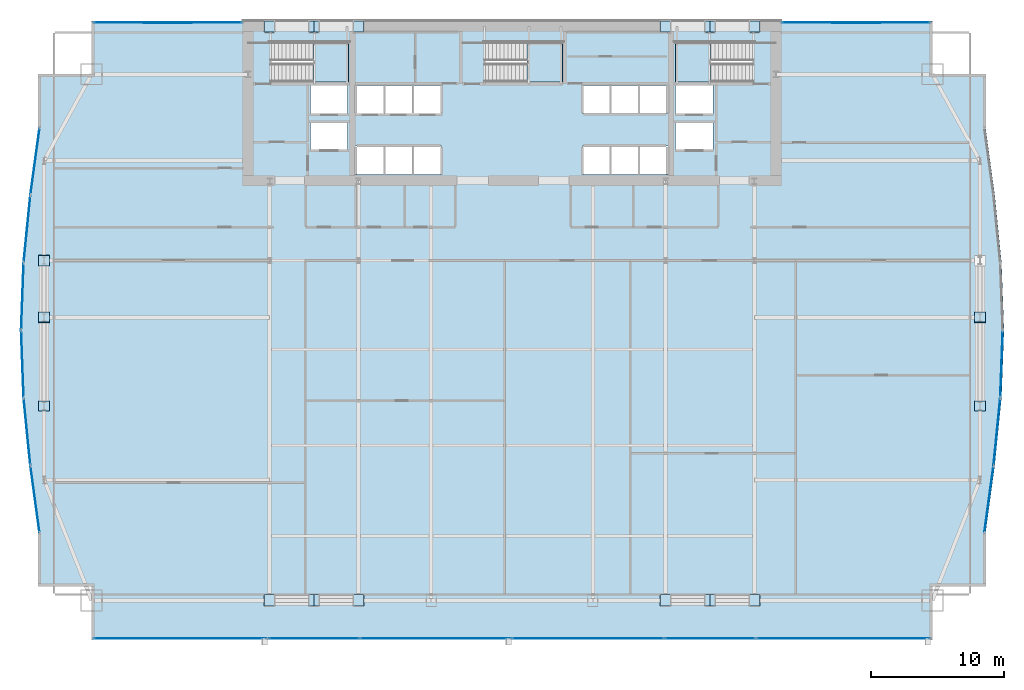
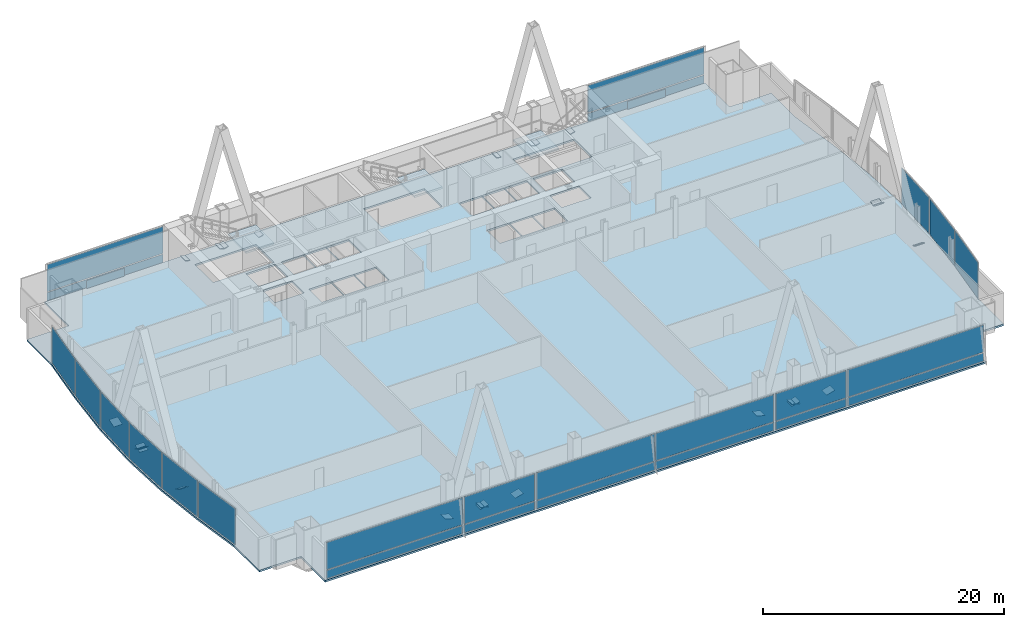
# One storey, part 26 of 35: 50 plates, 4 slabs, 19 elements without a shape of their own.
"""IFC4 building model written with IfcOpenShell, lengths in metres."""

from ifc_helpers import new_model, si_unit, direction, frame, origin, origin_2d, place, context, subcontext, project, spatial, polyline, rectangle, outline, extrude, material, layer, layer_set, type_object, element, aggregate, save


model = new_model("IFC4")

# Units and contexts
model_context = context("Model", 3, precision=1e-05, world=origin(), true_north=direction((0.0, 1.0)))
body_context = subcontext(model_context, "Body", "Model", "MODEL_VIEW")
ifc_project = project(units=[si_unit("LENGTHUNIT", "METRE"), si_unit("AREAUNIT", "SQUARE_METRE"), si_unit("VOLUMEUNIT", "CUBIC_METRE"), si_unit("PLANEANGLEUNIT", "RADIAN"), si_unit("MASSUNIT", "GRAM", prefix="KILO")], contexts=[model_context])

# Site, building, storey
site_placement = place(None, origin())
site = spatial("IfcSite", under=ifc_project, at=site_placement, CompositionType="ELEMENT")
building_placement = place(site_placement, origin())
building = spatial("IfcBuilding", under=site, at=building_placement, Name="Khoronbel Lancet Exchange", CompositionType="ELEMENT")
storey_placement = place(building_placement, frame((0.0, 0.0, 37.800048828125)))
storey = spatial("IfcBuildingStorey", under=building, at=storey_placement, Name="L08", CompositionType="ELEMENT", Elevation=37.800048828125)

# Curtain wall, plate
ifc_material_1 = material(Name="Low-E Solar Control Insulating Glass", Category="glass")
curtain_wall_type_1 = type_object("IfcCurtainWallType", Name="CW-4", PredefinedType="NOTDEFINED", material=ifc_material_1)
curtain_wall_1_placement = place(storey_placement, origin())
curtain_wall_1 = element("IfcCurtainWall", 1, at=curtain_wall_1_placement, inside=storey, type_object=curtain_wall_type_1, Name="Unitised curtain wall CW-L08-E05", PredefinedType="NOTDEFINED")
ifc_material_2 = material(Name="Bronze-Anodised Aluminium 6063-T6", Category="aluminium")
ifc_layer_1 = layer(ifc_material_2, 0.050048828125, Name="Bronze-Anodised Aluminium 6063-T6")
ifc_layer_set_1 = layer_set([ifc_layer_1], Name="Bronze-Anodised Aluminium 6063-T6")
plate_type_1 = type_object("IfcPlateType", Name="PLT-CSP1", PredefinedType="SHEET", material=ifc_layer_set_1)
plate_1_placement = place(storey_placement, frame((-0.009765625, 22.833251953125, 0.0849609375), z_axis=(0.0, 0.0, 1.0), x_axis=(-0.099602645371, 0.995027292608, 0.0)))
plate_1 = element("IfcPlate", 2, at=plate_1_placement, type_object=plate_type_1, Name="CW4 panel 1.1", PredefinedType="CURTAIN_PANEL", context=body_context, shape_type="SweptSolid", body=[
    extrude(rectangle(XDim=4.954345703125, YDim=0.0380859375, at=origin_2d()), origin(), (0.0, 0.0, 1.0), 3.64990234375),
])
aggregate(curtain_wall_1, [plate_1])

curtain_wall_2_placement = place(storey_placement, origin())
curtain_wall_2 = element("IfcCurtainWall", 3, at=curtain_wall_2_placement, inside=storey, type_object=curtain_wall_type_1, Name="Unitised curtain wall CW-L08-E06", PredefinedType="NOTDEFINED")
plate_2_placement = place(storey_placement, frame((-0.35693359375, 27.911376953125, 0.0849609375), z_axis=(0.0, 0.0, 1.0), x_axis=(-0.036590150718, 0.999330356224, 0.0)))
plate_2 = element("IfcPlate", 4, at=plate_2_placement, type_object=plate_type_1, Name="CW4 panel 1.1", PredefinedType="CURTAIN_PANEL", context=body_context, shape_type="SweptSolid", body=[
    extrude(rectangle(XDim=4.9306640625, YDim=0.0380859375, at=origin_2d()), origin(), (0.0, 0.0, 1.0), 3.64990234375),
])
aggregate(curtain_wall_2, [plate_2])

curtain_wall_3_placement = place(storey_placement, origin())
curtain_wall_3 = element("IfcCurtainWall", 5, at=curtain_wall_3_placement, inside=storey, type_object=curtain_wall_type_1, Name="Unitised curtain wall CW-L08-E07", PredefinedType="NOTDEFINED")
plate_3_placement = place(storey_placement, frame((-0.35693359375, 32.988525390625, 0.0849609375), z_axis=(0.0, 0.0, 1.0), x_axis=(0.036590150718, 0.999330356224, 0.0)))
plate_3 = element("IfcPlate", 6, at=plate_3_placement, type_object=plate_type_1, Name="CW4 panel 1.1", PredefinedType="CURTAIN_PANEL", context=body_context, shape_type="SweptSolid", body=[
    extrude(rectangle(XDim=4.9306640625, YDim=0.0380859375, at=origin_2d()), origin(), (0.0, 0.0, 1.0), 3.64990234375),
])
aggregate(curtain_wall_3, [plate_3])

curtain_wall_4_placement = place(storey_placement, origin())
curtain_wall_4 = element("IfcCurtainWall", 7, at=curtain_wall_4_placement, inside=storey, type_object=curtain_wall_type_1, Name="Unitised curtain wall CW-L08-E08", PredefinedType="NOTDEFINED")
plate_4_placement = place(storey_placement, frame((-0.009765625, 38.066650390625, 0.0849609375), z_axis=(0.0, 0.0, 1.0), x_axis=(0.099602645371, 0.995027292608, 0.0)))
plate_4 = element("IfcPlate", 8, at=plate_4_placement, type_object=plate_type_1, Name="CW4 panel 1.1", PredefinedType="CURTAIN_PANEL", context=body_context, shape_type="SweptSolid", body=[
    extrude(rectangle(XDim=4.954345703125, YDim=0.0380859375, at=origin_2d()), origin(), (0.0, 0.0, 1.0), 3.64990234375),
])
aggregate(curtain_wall_4, [plate_4])

curtain_wall_type_2 = type_object("IfcCurtainWallType", Name="CW-1", PredefinedType="NOTDEFINED", material=ifc_material_1)
curtain_wall_5_placement = place(storey_placement, origin())
curtain_wall_5 = element("IfcCurtainWall", 9, at=curtain_wall_5_placement, inside=storey, type_object=curtain_wall_type_2, Name="Unitised curtain wall CW-L08-NWFLK", PredefinedType="NOTDEFINED")
plate_5_placement = place(storey_placement, frame((10.580078125, 53.550048828125, 0.0498046875), z_axis=(0.0, 0.0, 1.0), x_axis=(-1.0, 0.0, 0.0)))
plate_5 = element("IfcPlate", 10, at=plate_5_placement, type_object=plate_type_1, Name="Insulated bronze spandrel cassette CW-L08-NWFLK", PredefinedType="SHEET", context=body_context, shape_type="SweptSolid", body=[
    extrude(rectangle(XDim=3.60009765625, YDim=0.050048828125, at=origin_2d()), origin(), (0.0, 0.0, 1.0), 0.800048828125),
])

curtain_wall_6_placement = place(storey_placement, origin())
curtain_wall_6 = element("IfcCurtainWall", 11, at=curtain_wall_6_placement, inside=storey, type_object=curtain_wall_type_2, Name="Unitised curtain wall CW-L08-NEFLK", PredefinedType="NOTDEFINED")
plate_6_placement = place(storey_placement, frame((62.320068359375, 53.550048828125, 0.0498046875), z_axis=(0.0, 0.0, 1.0), x_axis=(-1.0, 0.0, 0.0)))
plate_6 = element("IfcPlate", 12, at=plate_6_placement, type_object=plate_type_1, Name="Insulated bronze spandrel cassette CW-L08-NEFLK", PredefinedType="SHEET", context=body_context, shape_type="SweptSolid", body=[
    extrude(rectangle(XDim=3.60009765625, YDim=0.050048828125, at=origin_2d()), origin(), (0.0, 0.0, 1.0), 0.800048828125),
])

curtain_wall_7_placement = place(storey_placement, origin())
curtain_wall_7 = element("IfcCurtainWall", 13, at=curtain_wall_7_placement, inside=storey, type_object=curtain_wall_type_1, Name="Unitised curtain wall CW-L08-E20", PredefinedType="NOTDEFINED")
plate_7_placement = place(storey_placement, frame((73.2568359375, 27.911376953125, 0.0849609375), z_axis=(0.0, 0.0, 1.0), x_axis=(-0.036590150718, -0.999330356224, 0.0)))
plate_7 = element("IfcPlate", 14, at=plate_7_placement, type_object=plate_type_1, Name="CW4 panel 1.1", PredefinedType="CURTAIN_PANEL", context=body_context, shape_type="SweptSolid", body=[
    extrude(rectangle(XDim=4.9306640625, YDim=0.0380859375, at=origin_2d()), origin(), (0.0, 0.0, 1.0), 3.64990234375),
])
aggregate(curtain_wall_7, [plate_7])

curtain_wall_8_placement = place(storey_placement, origin())
curtain_wall_8 = element("IfcCurtainWall", 15, at=curtain_wall_8_placement, inside=storey, type_object=curtain_wall_type_1, Name="Unitised curtain wall CW-L08-E21", PredefinedType="NOTDEFINED")
plate_8_placement = place(storey_placement, frame((72.90966796875, 22.833251953125, 0.0849609375), z_axis=(0.0, 0.0, 1.0), x_axis=(-0.099602645371, -0.995027292608, 0.0)))
plate_8 = element("IfcPlate", 16, at=plate_8_placement, type_object=plate_type_1, Name="CW4 panel 1.1", PredefinedType="CURTAIN_PANEL", context=body_context, shape_type="SweptSolid", body=[
    extrude(rectangle(XDim=4.954345703125, YDim=0.0380859375, at=origin_2d()), origin(), (0.0, 0.0, 1.0), 3.64990234375),
])
aggregate(curtain_wall_8, [plate_8])

# Curtain wall, plates
curtain_wall_9_placement = place(storey_placement, origin())
curtain_wall_9 = element("IfcCurtainWall", 17, at=curtain_wall_9_placement, inside=storey, type_object=curtain_wall_type_2, Name="Unitised curtain wall CW-L08-SWB", PredefinedType="NOTDEFINED")
plate_9_placement = place(storey_placement, frame((21.550048828125, 7.2900390625, 0.0849609375), z_axis=(0.0, 0.0, 1.0), x_axis=(1.0, 0.0, 0.0)))
plate_9 = element("IfcPlate", 18, at=plate_9_placement, type_object=plate_type_1, Name="CW1 panel 1.1", PredefinedType="CURTAIN_PANEL", context=body_context, shape_type="SweptSolid", body=[
    extrude(rectangle(XDim=6.72998046875, YDim=0.0380859375, at=origin_2d()), origin(), (0.0, 0.0, 1.0), 0.822509765625),
])
plate_10_placement = place(storey_placement, frame((21.550048828125, 7.2900390625, 0.99267578125), z_axis=(0.0, 0.0, 1.0), x_axis=(1.0, 0.0, 0.0)))
plate_10 = element("IfcPlate", 19, at=plate_10_placement, type_object=plate_type_1, Name="CW1 panel 1.2", PredefinedType="CURTAIN_PANEL", context=body_context, shape_type="SweptSolid", body=[
    extrude(rectangle(XDim=6.72998046875, YDim=0.0380859375, at=origin_2d()), origin(), (0.0, 0.0, 1.0), 2.742431640625),
])
aggregate(curtain_wall_9, [plate_9, plate_10])

curtain_wall_10_placement = place(storey_placement, origin())
curtain_wall_10 = element("IfcCurtainWall", 20, at=curtain_wall_10_placement, inside=storey, type_object=curtain_wall_type_2, Name="Unitised curtain wall CW-L08-SEB", PredefinedType="NOTDEFINED")
plate_11_placement = place(storey_placement, frame((51.35009765625, 7.2900390625, 0.0849609375), z_axis=(0.0, 0.0, 1.0), x_axis=(1.0, 0.0, 0.0)))
plate_11 = element("IfcPlate", 21, at=plate_11_placement, type_object=plate_type_1, Name="CW1 panel 1.1", PredefinedType="CURTAIN_PANEL", context=body_context, shape_type="SweptSolid", body=[
    extrude(rectangle(XDim=6.72998046875, YDim=0.0380859375, at=origin_2d()), origin(), (0.0, 0.0, 1.0), 0.822509765625),
])
plate_12_placement = place(storey_placement, frame((51.35009765625, 7.2900390625, 0.99267578125), z_axis=(0.0, 0.0, 1.0), x_axis=(1.0, 0.0, 0.0)))
plate_12 = element("IfcPlate", 22, at=plate_12_placement, type_object=plate_type_1, Name="CW1 panel 1.2", PredefinedType="CURTAIN_PANEL", context=body_context, shape_type="SweptSolid", body=[
    extrude(rectangle(XDim=6.72998046875, YDim=0.0380859375, at=origin_2d()), origin(), (0.0, 0.0, 1.0), 2.742431640625),
])
aggregate(curtain_wall_10, [plate_11, plate_12])

# Plate
ifc_layer_2 = layer(ifc_material_1, 0.035888671875, Name="Low-E Solar Control Insulating Glass")
ifc_layer_set_2 = layer_set([ifc_layer_2], Name="Low-E Solar Control Insulating Glass")
plate_type_2 = type_object("IfcPlateType", Name="PLT-CWP1", PredefinedType="CURTAIN_PANEL", material=ifc_layer_set_2)
plate_13_placement = place(storey_placement, frame((10.580078125, 53.610107421875, 0.0849609375), z_axis=(0.0, 0.0, 1.0), x_axis=(-1.0, 0.0, 0.0)))
plate_13 = element("IfcPlate", 23, at=plate_13_placement, type_object=plate_type_2, Name="CW1 panel 1.1", PredefinedType="CURTAIN_PANEL", context=body_context, shape_type="SweptSolid", body=[
    extrude(rectangle(XDim=11.110107421875, YDim=0.0380859375, at=origin_2d()), origin(), (0.0, 0.0, 1.0), 0.822509765625),
])

plate_14_placement = place(storey_placement, frame((10.580078125, 53.610107421875, 0.99267578125), z_axis=(0.0, 0.0, 1.0), x_axis=(-1.0, 0.0, 0.0)))
plate_14 = element("IfcPlate", 24, at=plate_14_placement, type_object=plate_type_2, Name="CW1 panel 1.2", PredefinedType="CURTAIN_PANEL", context=body_context, shape_type="SweptSolid", body=[
    extrude(rectangle(XDim=11.110107421875, YDim=0.0380859375, at=origin_2d()), origin(), (0.0, 0.0, 1.0), 2.742431640625),
])

aggregate(curtain_wall_5, [plate_13, plate_14, plate_5])

plate_15_placement = place(storey_placement, frame((62.320068359375, 53.610107421875, 0.0849609375), z_axis=(0.0, 0.0, 1.0), x_axis=(-1.0, 0.0, 0.0)))
plate_15 = element("IfcPlate", 25, at=plate_15_placement, type_object=plate_type_2, Name="CW1 panel 1.1", PredefinedType="CURTAIN_PANEL", context=body_context, shape_type="SweptSolid", body=[
    extrude(rectangle(XDim=11.110107421875, YDim=0.0380859375, at=origin_2d()), origin(), (0.0, 0.0, 1.0), 0.822509765625),
])

plate_16_placement = place(storey_placement, frame((62.320068359375, 53.610107421875, 0.99267578125), z_axis=(0.0, 0.0, 1.0), x_axis=(-1.0, 0.0, 0.0)))
plate_16 = element("IfcPlate", 26, at=plate_16_placement, type_object=plate_type_2, Name="CW1 panel 1.2", PredefinedType="CURTAIN_PANEL", context=body_context, shape_type="SweptSolid", body=[
    extrude(rectangle(XDim=11.110107421875, YDim=0.0380859375, at=origin_2d()), origin(), (0.0, 0.0, 1.0), 2.742431640625),
])

aggregate(curtain_wall_6, [plate_15, plate_16, plate_6])

# Curtain wall, plates
curtain_wall_11_placement = place(storey_placement, origin())
curtain_wall_11 = element("IfcCurtainWall", 27, at=curtain_wall_11_placement, inside=storey, type_object=curtain_wall_type_2, Name="Unitised curtain wall CW-L08-SWV", PredefinedType="NOTDEFINED")
plate_17_placement = place(storey_placement, frame((11.52001953125, 7.2900390625, 0.0849609375), z_axis=(0.0, 0.0, 1.0), x_axis=(1.0, 0.0, 0.0)))
plate_17 = element("IfcPlate", 28, at=plate_17_placement, type_object=plate_type_2, Name="CW1 panel 1.1", PredefinedType="CURTAIN_PANEL", context=body_context, shape_type="SweptSolid", body=[
    extrude(rectangle(XDim=12.989990234375, YDim=0.0380859375, at=origin_2d()), origin(), (0.0, 0.0, 1.0), 0.822509765625),
])
plate_18_placement = place(storey_placement, frame((11.52001953125, 7.2900390625, 0.99267578125), z_axis=(0.0, 0.0, 1.0), x_axis=(1.0, 0.0, 0.0)))
plate_18 = element("IfcPlate", 29, at=plate_18_placement, type_object=plate_type_2, Name="CW1 panel 1.2", PredefinedType="CURTAIN_PANEL", context=body_context, shape_type="SweptSolid", body=[
    extrude(rectangle(XDim=12.989990234375, YDim=0.0380859375, at=origin_2d()), origin(), (0.0, 0.0, 1.0), 2.742431640625),
])
aggregate(curtain_wall_11, [plate_17, plate_18])

curtain_wall_12_placement = place(storey_placement, origin())
curtain_wall_12 = element("IfcCurtainWall", 30, at=curtain_wall_12_placement, inside=storey, type_object=curtain_wall_type_2, Name="Unitised curtain wall CW-L08-SCV", PredefinedType="NOTDEFINED")
plate_19_placement = place(storey_placement, frame((30.746337890625, 7.2900390625, 0.0849609375), z_axis=(0.0, 0.0, 1.0), x_axis=(1.0, 0.0, 0.0)))
plate_19 = element("IfcPlate", 31, at=plate_19_placement, type_object=plate_type_2, Name="CW1 panel 1.1", PredefinedType="CURTAIN_PANEL", context=body_context, shape_type="SweptSolid", body=[
    extrude(rectangle(XDim=11.322509765625, YDim=0.0380859375, at=origin_2d()), origin(), (0.0, 0.0, 1.0), 0.822509765625),
])
plate_20_placement = place(storey_placement, frame((30.746337890625, 7.2900390625, 0.99267578125), z_axis=(0.0, 0.0, 1.0), x_axis=(1.0, 0.0, 0.0)))
plate_20 = element("IfcPlate", 32, at=plate_20_placement, type_object=plate_type_2, Name="CW1 panel 1.2", PredefinedType="CURTAIN_PANEL", context=body_context, shape_type="SweptSolid", body=[
    extrude(rectangle(XDim=11.322509765625, YDim=0.0380859375, at=origin_2d()), origin(), (0.0, 0.0, 1.0), 2.742431640625),
])
plate_21_placement = place(storey_placement, frame((42.15380859375, 7.2900390625, 0.0849609375), z_axis=(0.0, 0.0, 1.0), x_axis=(1.0, 0.0, 0.0)))
plate_21 = element("IfcPlate", 33, at=plate_21_placement, type_object=plate_type_2, Name="CW1 panel 2.1", PredefinedType="CURTAIN_PANEL", context=body_context, shape_type="SweptSolid", body=[
    extrude(rectangle(XDim=11.322509765625, YDim=0.0380859375, at=origin_2d()), origin(), (0.0, 0.0, 1.0), 0.822509765625),
])
plate_22_placement = place(storey_placement, frame((42.15380859375, 7.2900390625, 0.99267578125), z_axis=(0.0, 0.0, 1.0), x_axis=(1.0, 0.0, 0.0)))
plate_22 = element("IfcPlate", 34, at=plate_22_placement, type_object=plate_type_2, Name="CW1 panel 2.2", PredefinedType="CURTAIN_PANEL", context=body_context, shape_type="SweptSolid", body=[
    extrude(rectangle(XDim=11.322509765625, YDim=0.0380859375, at=origin_2d()), origin(), (0.0, 0.0, 1.0), 2.742431640625),
])
aggregate(curtain_wall_12, [plate_19, plate_20, plate_21, plate_22])

curtain_wall_13_placement = place(storey_placement, origin())
curtain_wall_13 = element("IfcCurtainWall", 35, at=curtain_wall_13_placement, inside=storey, type_object=curtain_wall_type_2, Name="Unitised curtain wall CW-L08-SEV", PredefinedType="NOTDEFINED")
plate_23_placement = place(storey_placement, frame((61.3798828125, 7.2900390625, 0.0849609375), z_axis=(0.0, 0.0, 1.0), x_axis=(1.0, 0.0, 0.0)))
plate_23 = element("IfcPlate", 36, at=plate_23_placement, type_object=plate_type_2, Name="CW1 panel 1.1", PredefinedType="CURTAIN_PANEL", context=body_context, shape_type="SweptSolid", body=[
    extrude(rectangle(XDim=12.989990234375, YDim=0.0380859375, at=origin_2d()), origin(), (0.0, 0.0, 1.0), 0.822509765625),
])
plate_24_placement = place(storey_placement, frame((61.3798828125, 7.2900390625, 0.99267578125), z_axis=(0.0, 0.0, 1.0), x_axis=(1.0, 0.0, 0.0)))
plate_24 = element("IfcPlate", 37, at=plate_24_placement, type_object=plate_type_2, Name="CW1 panel 1.2", PredefinedType="CURTAIN_PANEL", context=body_context, shape_type="SweptSolid", body=[
    extrude(rectangle(XDim=12.989990234375, YDim=0.0380859375, at=origin_2d()), origin(), (0.0, 0.0, 1.0), 2.742431640625),
])
aggregate(curtain_wall_13, [plate_23, plate_24])

# Curtain wall, plate
curtain_wall_14_placement = place(storey_placement, origin())
curtain_wall_14 = element("IfcCurtainWall", 38, at=curtain_wall_14_placement, inside=storey, type_object=curtain_wall_type_1, Name="Unitised curtain wall CW-L08-E04", PredefinedType="NOTDEFINED")
ifc_material_3 = material(Name="Ceramic-Fritted Laminated Insulating Glass", Category="glass")
ifc_layer_3 = layer(ifc_material_3, 0.0419921875, Name="Ceramic-Fritted Laminated Insulating Glass")
ifc_layer_set_3 = layer_set([ifc_layer_3], Name="Ceramic-Fritted Laminated Insulating Glass")
plate_type_3 = type_object("IfcPlateType", Name="PLT-CWP2", PredefinedType="CURTAIN_PANEL", material=ifc_layer_set_3)
plate_25_placement = place(storey_placement, frame((0.59228515625, 17.75, 0.0849609375), z_axis=(0.0, 0.0, 1.0), x_axis=(-0.135439945613, 0.990785557592, 0.0)))
plate_25 = element("IfcPlate", 39, at=plate_25_placement, type_object=plate_type_3, Name="CW4 panel 1.1", PredefinedType="CURTAIN_PANEL", context=body_context, shape_type="SweptSolid", body=[
    extrude(rectangle(XDim=4.985107421875, YDim=0.0380859375, at=origin_2d()), origin(), (0.0, 0.0, 1.0), 3.64990234375),
])
aggregate(curtain_wall_14, [plate_25])

curtain_wall_15_placement = place(storey_placement, origin())
curtain_wall_15 = element("IfcCurtainWall", 40, at=curtain_wall_15_placement, inside=storey, type_object=curtain_wall_type_1, Name="Unitised curtain wall CW-L08-E09", PredefinedType="NOTDEFINED")
plate_26_placement = place(storey_placement, frame((0.59228515625, 43.14990234375, 0.0849609375), z_axis=(0.0, 0.0, 1.0), x_axis=(0.135439945613, 0.990785557592, 0.0)))
plate_26 = element("IfcPlate", 41, at=plate_26_placement, type_object=plate_type_3, Name="CW4 panel 1.1", PredefinedType="CURTAIN_PANEL", context=body_context, shape_type="SweptSolid", body=[
    extrude(rectangle(XDim=4.985107421875, YDim=0.0380859375, at=origin_2d()), origin(), (0.0, 0.0, 1.0), 3.64990234375),
])
aggregate(curtain_wall_15, [plate_26])

curtain_wall_16_placement = place(storey_placement, origin())
curtain_wall_16 = element("IfcCurtainWall", 42, at=curtain_wall_16_placement, inside=storey, type_object=curtain_wall_type_1, Name="Unitised curtain wall CW-L08-E22", PredefinedType="NOTDEFINED")
plate_27_placement = place(storey_placement, frame((72.307861328125, 17.75, 0.0849609375), z_axis=(0.0, 0.0, 1.0), x_axis=(-0.135439945613, -0.990785557592, 0.0)))
plate_27 = element("IfcPlate", 43, at=plate_27_placement, type_object=plate_type_3, Name="CW4 panel 1.1", PredefinedType="CURTAIN_PANEL", context=body_context, shape_type="SweptSolid", body=[
    extrude(rectangle(XDim=4.985107421875, YDim=0.0380859375, at=origin_2d()), origin(), (0.0, 0.0, 1.0), 3.64990234375),
])
aggregate(curtain_wall_16, [plate_27])

# Plates
ifc_material_4 = material(Name="Steel S460", Category="steel")
ifc_layer_4 = layer(ifc_material_4, 0.044921875, Name="Steel S460")
ifc_layer_set_4 = layer_set([ifc_layer_4], Name="Steel S460")
plate_type_4 = type_object("IfcPlateType", Name="PLT-ECP1", PredefinedType="USERDEFINED", material=ifc_layer_set_4)
for number, where, z_axis, x_axis, name in (
    (44, (21.97607421875, 9.72998046875, -0.080810546875), (0.26795862665, 0.0, 0.963430420115), (0.0, 1.0, 0.0), "Hollow end cap plate PLT-CAP-MEM-MB-T01-S-W-L-1"),
    (45, (21.14892578125, 10.570068359375, -0.080810546875), (-0.26795862665, 0.0, 0.963430420115), (0.0, -1.0, 0.0), "Hollow end cap plate PLT-CAP-MEM-MB-T01-S-W-R-1"),
    (46, (51.7509765625, 9.72998046875, -0.080810546875), (0.26795862665, 0.0, 0.963430420115), (0.0, 1.0, 0.0), "Hollow end cap plate PLT-CAP-MEM-MB-T01-S-E-L-1"),
    (47, (50.924072265625, 10.570068359375, -0.080810546875), (-0.26795862665, 0.0, 0.963430420115), (0.0, -1.0, 0.0), "Hollow end cap plate PLT-CAP-MEM-MB-T01-S-E-R-1"),
):
    element("IfcPlate", number, at=place(storey_placement, frame(where, z_axis=z_axis, x_axis=x_axis)), inside=storey, type_object=plate_type_4, Name=name, ObjectType="STIFFENER_PLATE", PredefinedType="USERDEFINED", context=body_context, shape_type="SweptSolid", body=[
        extrude(outline(polyline([(0.0, 0.0), (0.840087890625, 0.0), (0.840087890625, 0.840087890625), (0.0, 0.840087890625), (0.0, 0.0)])), origin(), (0.0, 0.0, -1.0), 0.044921875),
    ])
for number, where, z_axis, x_axis, name in (
    (48, (21.97607421875, 52.860107421875, -0.080810546875), (0.26795862665, 0.0, 0.963430420115), (0.0, 1.0, 0.0), "Hollow end cap plate PLT-CAP-MEM-MB-T01-N-W-L-1"),
    (49, (21.14892578125, 53.699951171875, -0.080810546875), (-0.26795862665, 0.0, 0.963430420115), (0.0, -1.0, 0.0), "Hollow end cap plate PLT-CAP-MEM-MB-T01-N-W-R-1"),
    (50, (51.7509765625, 52.860107421875, -0.080810546875), (0.26795862665, 0.0, 0.963430420115), (0.0, 1.0, 0.0), "Hollow end cap plate PLT-CAP-MEM-MB-T01-N-E-L-1"),
    (51, (50.924072265625, 53.699951171875, -0.080810546875), (-0.26795862665, 0.0, 0.963430420115), (0.0, -1.0, 0.0), "Hollow end cap plate PLT-CAP-MEM-MB-T01-N-E-R-1"),
    (52, (1.68994140625, 31.80810546875, -0.17529296875), (0.0, 0.485963708226, 0.873978989614), (-1.0, 0.0, 0.0), "Hollow end cap plate PLT-CAP-MEM-MB-T01-W-P-L-1"),
):
    element("IfcPlate", number, at=place(storey_placement, frame(where, z_axis=z_axis, x_axis=x_axis)), inside=storey, type_object=plate_type_4, Name=name, ObjectType="STIFFENER_PLATE", PredefinedType="USERDEFINED", context=body_context, shape_type="SweptSolid", body=[
        extrude(outline(polyline([(0.0, 0.0), (0.83984375, 0.0), (0.83984375, 0.840087890625), (0.0, 0.840087890625), (0.0, 0.0)])), origin(), (0.0, 0.0, -1.0), 0.044921875),
    ])
plate_28_placement = place(storey_placement, frame((0.85009765625, 31.018310546875, -0.10986328125), z_axis=(0.0, -0.335433979759, 0.942063716116), x_axis=(1.0, 0.0, 0.0)))
element("IfcPlate", 53, at=plate_28_placement, inside=storey, type_object=plate_type_4, Name="Hollow end cap plate PLT-CAP-MEM-MB-T01-W-P-R-1", ObjectType="STIFFENER_PLATE", PredefinedType="USERDEFINED", context=body_context, shape_type="SweptSolid", body=[
    extrude(outline(polyline([(0.0, 0.0), (0.83984375, 0.0), (0.83984375, 0.83984375), (0.0, 0.83984375), (0.0, 0.0)])), origin(), (0.0, 0.0, -1.0), 0.044921875),
])
plate_29_placement = place(storey_placement, frame((72.050048828125, 31.80810546875, -0.17529296875), z_axis=(0.0, 0.485963708226, 0.873978989614), x_axis=(-1.0, 0.0, 0.0)))
element("IfcPlate", 54, at=plate_29_placement, inside=storey, type_object=plate_type_4, Name="Hollow end cap plate PLT-CAP-MEM-MB-T01-E-P-L-1", ObjectType="STIFFENER_PLATE", PredefinedType="USERDEFINED", context=body_context, shape_type="SweptSolid", body=[
    extrude(outline(polyline([(0.0, 0.0), (0.840087890625, 0.0), (0.840087890625, 0.840087890625), (0.0, 0.840087890625), (0.0, 0.0)])), origin(), (0.0, 0.0, -1.0), 0.044921875),
])
plate_30_placement = place(storey_placement, frame((71.2099609375, 31.018310546875, -0.10986328125), z_axis=(0.0, -0.335433979759, 0.942063716116), x_axis=(1.0, 0.0, 0.0)))
element("IfcPlate", 55, at=plate_30_placement, inside=storey, type_object=plate_type_4, Name="Hollow end cap plate PLT-CAP-MEM-MB-T01-E-P-R-1", ObjectType="STIFFENER_PLATE", PredefinedType="USERDEFINED", context=body_context, shape_type="SweptSolid", body=[
    extrude(outline(polyline([(0.0, 0.0), (0.840087890625, 0.0), (0.840087890625, 0.83984375), (0.0, 0.83984375), (0.0, 0.0)])), origin(), (0.0, 0.0, -1.0), 0.044921875),
])
for number, where, z_axis, x_axis, name in (
    (56, (18.6328125, 9.72998046875, -0.10107421875), (0.26795862665, 0.0, 0.963430420115), (0.0, 1.0, 0.0), "Hollow end cap plate PLT-CAP-MEM-MB-T02-S-W-L-0"),
    (57, (24.4921875, 10.570068359375, -0.10107421875), (-0.26795862665, 0.0, 0.963430420115), (0.0, -1.0, 0.0), "Hollow end cap plate PLT-CAP-MEM-MB-T02-S-W-R-0"),
    (58, (48.407958984375, 9.72998046875, -0.10107421875), (0.26795862665, 0.0, 0.963430420115), (0.0, 1.0, 0.0), "Hollow end cap plate PLT-CAP-MEM-MB-T02-S-E-L-0"),
    (59, (54.26708984375, 10.570068359375, -0.10107421875), (-0.26795862665, 0.0, 0.963430420115), (0.0, -1.0, 0.0), "Hollow end cap plate PLT-CAP-MEM-MB-T02-S-E-R-0"),
):
    element("IfcPlate", number, at=place(storey_placement, frame(where, z_axis=z_axis, x_axis=x_axis)), inside=storey, type_object=plate_type_4, Name=name, ObjectType="STIFFENER_PLATE", PredefinedType="USERDEFINED", context=body_context, shape_type="SweptSolid", body=[
        extrude(outline(polyline([(0.0, 0.0), (0.840087890625, 0.0), (0.840087890625, 0.840087890625), (0.0, 0.840087890625), (0.0, 0.0)])), origin(), (0.0, 0.0, -1.0), 0.044921875),
    ])
for number, where, z_axis, x_axis, name in (
    (60, (18.6328125, 52.860107421875, -0.10107421875), (0.26795862665, 0.0, 0.963430420115), (0.0, 1.0, 0.0), "Hollow end cap plate PLT-CAP-MEM-MB-T02-N-W-L-0"),
    (61, (24.4921875, 53.699951171875, -0.10107421875), (-0.26795862665, 0.0, 0.963430420115), (0.0, -1.0, 0.0), "Hollow end cap plate PLT-CAP-MEM-MB-T02-N-W-R-0"),
    (62, (48.407958984375, 52.860107421875, -0.10107421875), (0.26795862665, 0.0, 0.963430420115), (0.0, 1.0, 0.0), "Hollow end cap plate PLT-CAP-MEM-MB-T02-N-E-L-0"),
    (63, (54.26708984375, 53.699951171875, -0.10107421875), (-0.26795862665, 0.0, 0.963430420115), (0.0, -1.0, 0.0), "Hollow end cap plate PLT-CAP-MEM-MB-T02-N-E-R-0"),
):
    element("IfcPlate", number, at=place(storey_placement, frame(where, z_axis=z_axis, x_axis=x_axis)), inside=storey, type_object=plate_type_4, Name=name, ObjectType="STIFFENER_PLATE", PredefinedType="USERDEFINED", context=body_context, shape_type="SweptSolid", body=[
        extrude(outline(polyline([(0.0, 0.0), (0.83984375, 0.0), (0.83984375, 0.840087890625), (0.0, 0.840087890625), (0.0, 0.0)])), origin(), (0.0, 0.0, -1.0), 0.044921875),
    ])
for number, where, z_axis, x_axis, name in (
    (64, (1.68994140625, 25.122802734375, -0.19384765625), (0.0, 0.486309162349, 0.873786815314), (-1.0, 0.0, 0.0), "Hollow end cap plate PLT-CAP-MEM-MB-T02-W-P-L-0"),
    (65, (0.85009765625, 35.30029296875, -0.129638671875), (0.0, -0.335433979759, 0.942063716116), (1.0, 0.0, 0.0), "Hollow end cap plate PLT-CAP-MEM-MB-T02-W-P-R-0"),
):
    element("IfcPlate", number, at=place(storey_placement, frame(where, z_axis=z_axis, x_axis=x_axis)), inside=storey, type_object=plate_type_4, Name=name, ObjectType="STIFFENER_PLATE", PredefinedType="USERDEFINED", context=body_context, shape_type="SweptSolid", body=[
        extrude(outline(polyline([(0.0, 0.0), (0.83984375, 0.0), (0.83984375, 0.83984375), (0.0, 0.83984375), (0.0, 0.0)])), origin(), (0.0, 0.0, -1.0), 0.044921875),
    ])
plate_31_placement = place(storey_placement, frame((72.050048828125, 25.122802734375, -0.19384765625), z_axis=(0.0, 0.486309162349, 0.873786815314), x_axis=(-1.0, 0.0, 0.0)))
element("IfcPlate", 66, at=plate_31_placement, inside=storey, type_object=plate_type_4, Name="Hollow end cap plate PLT-CAP-MEM-MB-T02-E-P-L-0", ObjectType="STIFFENER_PLATE", PredefinedType="USERDEFINED", context=body_context, shape_type="SweptSolid", body=[
    extrude(outline(polyline([(0.0, 0.0), (0.840087890625, 0.0), (0.840087890625, 0.83984375), (0.0, 0.83984375), (0.0, 0.0)])), origin(), (0.0, 0.0, -1.0), 0.044921875),
])

# Slab
ifc_material_5 = material(Name="Concrete C40/50", Category="concrete")
ifc_layer_5 = layer(ifc_material_5, 0.179931640625, Name="Concrete C40/50")
ifc_layer_set_5 = layer_set([ifc_layer_5], Name="Concrete C40/50")
slab_type_1 = type_object("IfcSlabType", Name="SL-FL180", PredefinedType="FLOOR", material=ifc_layer_set_5)
slab_1_placement = place(storey_placement, frame((0.0, 0.0, -0.179931640625)))
element("IfcSlab", 67, at=slab_1_placement, inside=storey, type_object=slab_type_1, Name="Level L08 composite structural floor slab", PredefinedType="FLOOR", context=body_context, shape_type="SweptSolid", body=[
    extrude(outline(polyline([(4.85009765625, 7.199951171875), (68.050048828125, 7.199951171875), (68.050048828125, 11.199951171875), (72.050048828125, 11.199951171875), (72.050048828125, 15.199951171875), (72.744873046875, 20.283203125), (73.253662109375, 25.36669921875), (73.43994140625, 30.449951171875), (73.253662109375, 35.533203125), (72.744873046875, 40.61669921875), (72.050048828125, 45.699951171875), (72.050048828125, 49.699951171875), (68.050048828125, 49.699951171875), (68.050048828125, 53.699951171875), (4.85009765625, 53.699951171875), (4.85009765625, 49.699951171875), (0.85009765625, 49.699951171875), (0.85009765625, 45.699951171875), (0.155029296875, 40.61669921875), (-0.353759765625, 35.533203125), (-0.539794921875, 30.449951171875), (-0.353759765625, 25.36669921875), (0.155029296875, 20.283203125), (0.85009765625, 15.199951171875), (0.85009765625, 11.199951171875), (4.85009765625, 11.199951171875), (4.85009765625, 7.199951171875)]), holes=[polyline([(18.324951171875, 49.1201171875), (24.14990234375, 49.1201171875), (24.14990234375, 52.10009765625), (18.324951171875, 52.10009765625), (18.324951171875, 49.1201171875)]), polyline([(48.75, 49.1201171875), (54.574951171875, 49.1201171875), (54.574951171875, 52.10009765625), (48.75, 52.10009765625), (48.75, 49.1201171875)]), polyline([(34.425048828125, 49.1201171875), (40.25, 49.1201171875), (40.25, 52.10009765625), (34.425048828125, 52.10009765625), (34.425048828125, 49.1201171875)]), polyline([(24.699951171875, 46.75), (26.840087890625, 46.75), (26.840087890625, 48.85009765625), (24.699951171875, 48.85009765625), (24.699951171875, 46.75)]), polyline([(26.860107421875, 46.75), (29.0, 46.75), (29.0, 48.85009765625), (26.860107421875, 48.85009765625), (26.860107421875, 46.75)]), polyline([(29.02001953125, 46.75), (31.159912109375, 46.75), (31.159912109375, 48.85009765625), (29.02001953125, 48.85009765625), (29.02001953125, 46.75)]), polyline([(24.699951171875, 42.14990234375), (26.840087890625, 42.14990234375), (26.840087890625, 44.300048828125), (24.699951171875, 44.300048828125), (24.699951171875, 42.14990234375)]), polyline([(26.860107421875, 42.14990234375), (29.0, 42.14990234375), (29.0, 44.300048828125), (26.860107421875, 44.300048828125), (26.860107421875, 42.14990234375)]), polyline([(29.02001953125, 42.14990234375), (31.159912109375, 42.14990234375), (31.159912109375, 44.300048828125), (29.02001953125, 44.300048828125), (29.02001953125, 42.14990234375)]), polyline([(41.739990234375, 46.75), (43.8798828125, 46.75), (43.8798828125, 48.85009765625), (41.739990234375, 48.85009765625), (41.739990234375, 46.75)]), polyline([(43.89990234375, 46.75), (46.0400390625, 46.75), (46.0400390625, 48.85009765625), (43.89990234375, 48.85009765625), (43.89990234375, 46.75)]), polyline([(46.06005859375, 46.75), (48.199951171875, 46.75), (48.199951171875, 48.85009765625), (46.06005859375, 48.85009765625), (46.06005859375, 46.75)]), polyline([(41.739990234375, 42.14990234375), (43.8798828125, 42.14990234375), (43.8798828125, 44.300048828125), (41.739990234375, 44.300048828125), (41.739990234375, 42.14990234375)]), polyline([(43.89990234375, 42.14990234375), (46.0400390625, 42.14990234375), (46.0400390625, 44.300048828125), (43.89990234375, 44.300048828125), (43.89990234375, 42.14990234375)]), polyline([(46.06005859375, 42.14990234375), (48.199951171875, 42.14990234375), (48.199951171875, 44.300048828125), (46.06005859375, 44.300048828125), (46.06005859375, 42.14990234375)]), polyline([(21.300048828125, 46.75), (24.10009765625, 46.75), (24.10009765625, 48.85009765625), (21.300048828125, 48.85009765625), (21.300048828125, 46.75)]), polyline([(48.75, 46.75), (51.550048828125, 46.75), (51.550048828125, 48.85009765625), (48.75, 48.85009765625), (48.75, 46.75)]), polyline([(21.300048828125, 44.050048828125), (24.10009765625, 44.050048828125), (24.10009765625, 46.050048828125), (21.300048828125, 46.050048828125), (21.300048828125, 44.050048828125)]), polyline([(48.75, 44.050048828125), (51.550048828125, 44.050048828125), (51.550048828125, 46.050048828125), (48.75, 46.050048828125), (48.75, 44.050048828125)])]), origin(), (0.0, 0.0, 1.0), 0.179931640625),
])

# Stair, slab
stair_type = type_object("IfcStairType", Name="STR-CORE150", PredefinedType="HALF_TURN_STAIR", material=ifc_material_5)
stair_1_placement = place(storey_placement, origin())
stair_1 = element("IfcStair", 68, at=stair_1_placement, inside=storey, type_object=stair_type, Name="L08 Protected Exit Stair ST1", PredefinedType="HALF_TURN_STAIR")
ifc_layer_6 = layer(ifc_material_5, 0.199951171875, Name="Concrete C40/50")
ifc_layer_set_6 = layer_set([ifc_layer_6], Name="Concrete C40/50")
slab_type_2 = type_object("IfcSlabType", Name="SL-LND180", PredefinedType="LANDING", material=ifc_layer_set_6)
slab_2_placement = place(storey_placement, frame((0.0, 0.0, 1.800048828125)))
slab_2 = element("IfcSlab", 69, at=slab_2_placement, type_object=slab_type_2, Name="ST1 landing 1", PredefinedType="LANDING", context=body_context, shape_type="SweptSolid", body=[
    extrude(outline(polyline([(21.489990234375, 49.1201171875), (24.14990234375, 49.1201171875), (24.14990234375, 52.10009765625), (21.489990234375, 52.10009765625), (21.489990234375, 49.1201171875)])), origin(), (0.0, 0.0, 1.0), 0.199951171875),
])
aggregate(stair_1, [slab_2])

stair_2_placement = place(storey_placement, origin())
stair_2 = element("IfcStair", 70, at=stair_2_placement, inside=storey, type_object=stair_type, Name="L08 Protected Exit Stair ST2", PredefinedType="HALF_TURN_STAIR")
slab_3_placement = place(storey_placement, frame((0.0, 0.0, 1.800048828125)))
slab_3 = element("IfcSlab", 71, at=slab_3_placement, type_object=slab_type_2, Name="ST2 landing 1", PredefinedType="LANDING", context=body_context, shape_type="SweptSolid", body=[
    extrude(outline(polyline([(51.409912109375, 52.10009765625), (48.75, 52.10009765625), (48.75, 49.1201171875), (51.409912109375, 49.1201171875), (51.409912109375, 52.10009765625)])), origin(), (0.0, 0.0, 1.0), 0.199951171875),
])
aggregate(stair_2, [slab_3])

stair_3_placement = place(storey_placement, origin())
stair_3 = element("IfcStair", 72, at=stair_3_placement, inside=storey, type_object=stair_type, Name="L08 Protected Exit Stair ST3", PredefinedType="HALF_TURN_STAIR")
slab_4_placement = place(storey_placement, frame((0.0, 0.0, 1.800048828125)))
slab_4 = element("IfcSlab", 73, at=slab_4_placement, type_object=slab_type_2, Name="ST3 landing 1", PredefinedType="LANDING", context=body_context, shape_type="SweptSolid", body=[
    extrude(outline(polyline([(37.590087890625, 49.1201171875), (40.25, 49.1201171875), (40.25, 52.10009765625), (37.590087890625, 52.10009765625), (37.590087890625, 49.1201171875)])), origin(), (0.0, 0.0, 1.0), 0.199951171875),
])
aggregate(stair_3, [slab_4])

save(model, "model.ifc")
